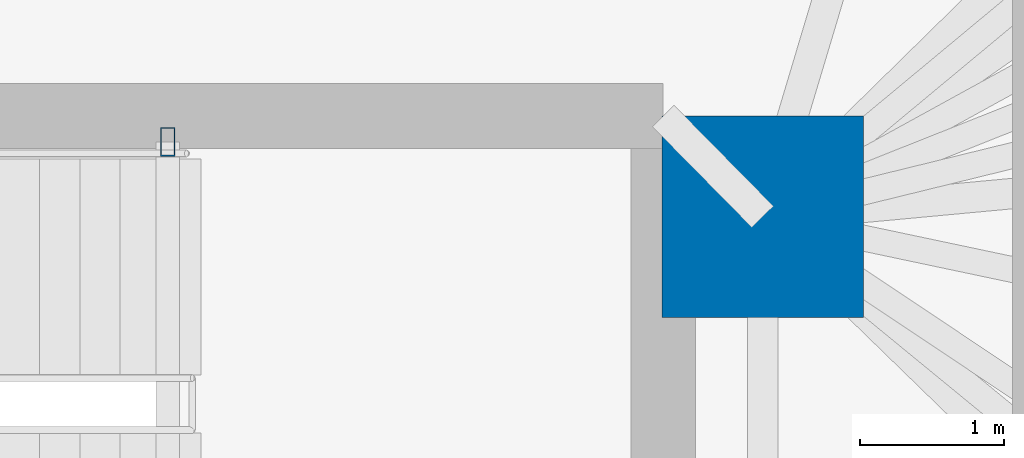
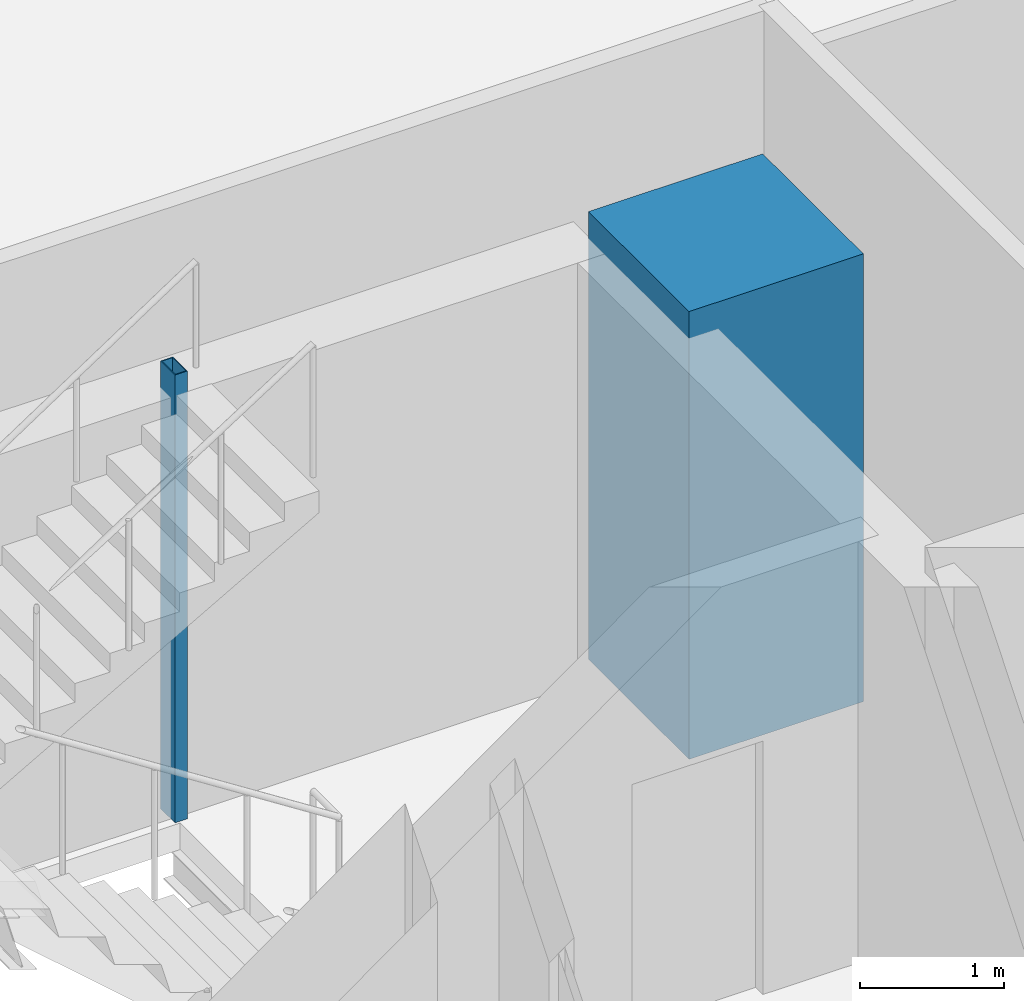
# One storey, part 4 of 16: 2 columns.
"""IFC4 building model written with IfcOpenShell, lengths in metres."""

from ifc_helpers import new_model, si_unit, direction, frame, origin, origin_2d, place, context, subcontext, project, spatial, rectangle, hollow_rectangle, extrude, material, material_profile, profile_set, type_object, element, save


model = new_model("IFC4")

# Units and contexts
model_context = context("Model", 3, precision=1e-05, world=origin(), true_north=direction((0.0, 1.0)))
body_context = subcontext(model_context, "Body", "Model", "MODEL_VIEW")
ifc_project = project(units=[si_unit("LENGTHUNIT", "METRE"), si_unit("AREAUNIT", "SQUARE_METRE"), si_unit("VOLUMEUNIT", "CUBIC_METRE"), si_unit("PLANEANGLEUNIT", "RADIAN"), si_unit("MASSUNIT", "GRAM", prefix="KILO")], contexts=[model_context])

# Site, building, storey
site_placement = place(None, origin())
site = spatial("IfcSite", under=ifc_project, at=site_placement, CompositionType="ELEMENT")
building_placement = place(site_placement, origin())
building = spatial("IfcBuilding", under=site, at=building_placement, Name="Menara Jurai Vektor", CompositionType="ELEMENT")
storey_placement = place(building_placement, frame((0.0, 0.0, 40.800048828125)))
storey = spatial("IfcBuildingStorey", under=building, at=storey_placement, Name="L09", CompositionType="ELEMENT", Elevation=40.800048828125)

# Columns
ifc_material_1 = material(Name="Concrete C60/75", Category="concrete")
ifc_material_profile_1 = material_profile(ifc_material_1, rectangle(XDim=1.39990234375, YDim=1.39990234375, at=origin_2d()), Name="RC 1400x1400")
ifc_profile_set_1 = profile_set([ifc_material_profile_1], Name="Concrete C60/75")
column_type_1 = type_object("IfcColumnType", Name="STR-COL-RC1400", PredefinedType="COLUMN", material=ifc_profile_set_1)
column_1_placement = place(storey_placement, frame((15.25, 4.89990234375, 0.0), z_axis=(0.0, 0.0, 1.0), x_axis=(1.0, 0.0, 0.0)))
element("IfcColumn", 1, at=column_1_placement, inside=storey, type_object=column_type_1, Name="Core Spine Column CE-NE L09", PredefinedType="COLUMN", context=body_context, shape_type="SweptSolid", body=[
    extrude(rectangle(XDim=1.39990234375, YDim=1.39990234375, at=origin_2d()), origin(), (0.0, 0.0, 1.0), 3.800048828125),
])
ifc_material_2 = material(Name="Steel S355", Category="steel")
ifc_material_profile_2 = material_profile(ifc_material_2, hollow_rectangle(XDim=0.10009765625, YDim=0.199951171875, WallThickness=0.008056640625, at=origin_2d()), Name="RHS 200x100x8")
ifc_profile_set_2 = profile_set([ifc_material_profile_2], Name="Steel S355")
column_type_2 = type_object("IfcColumnType", Name="STR-COL-STAIR", PredefinedType="COLUMN", material=ifc_profile_set_2)
column_2_placement = place(storey_placement, frame((11.1201171875, 5.419921875, 0.0), z_axis=(0.0, 0.0, 1.0), x_axis=(1.0, 0.0, 0.0)))
element("IfcColumn", 2, at=column_2_placement, inside=storey, type_object=column_type_2, Name="Stair Well Header Column ST2-P2 L09", PredefinedType="COLUMN", context=body_context, shape_type="SweptSolid", body=[
    extrude(hollow_rectangle(XDim=0.10009765625, YDim=0.199951171875, WallThickness=0.008056640625, at=origin_2d()), origin(), (0.0, 0.0, 1.0), 3.800048828125),
])

save(model, "model.ifc")
